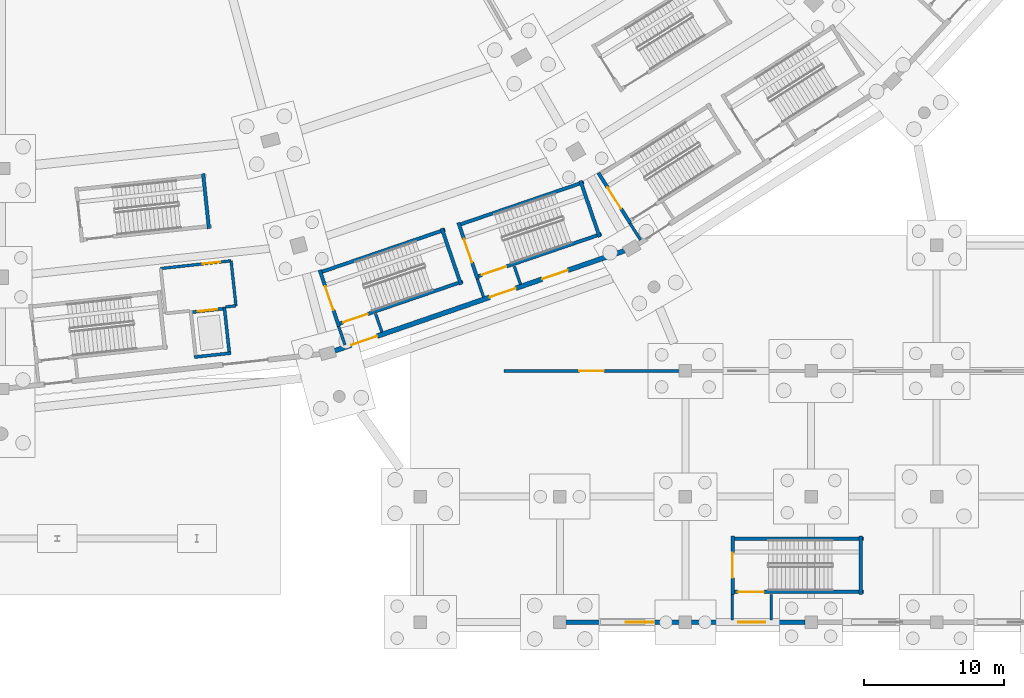
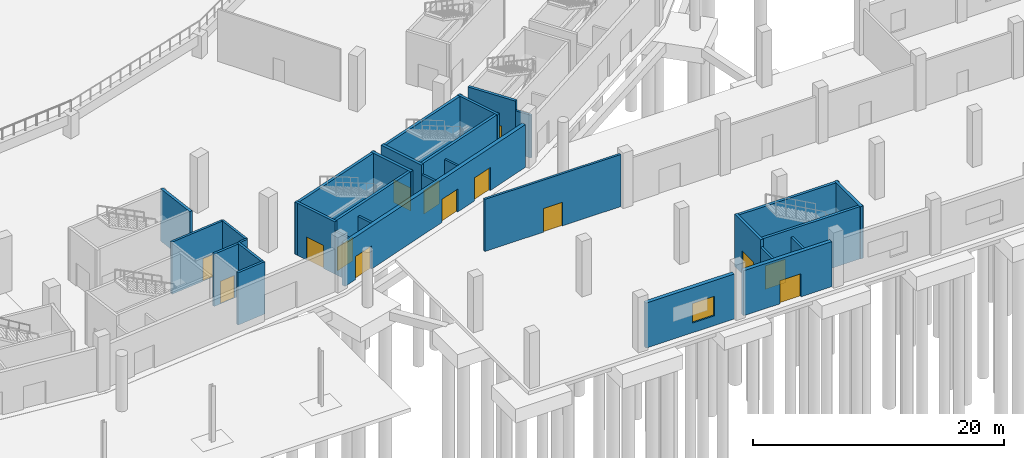
# One storey, part 36 of 103: 31 walls, 14 doors, 1 window, 15 openings.
"""IFC4 building model written with IfcOpenShell, lengths in metres."""

from ifc_helpers import new_model, si_unit, direction, frame, frame_2d, origin, place, context, subcontext, project, spatial, rectangle, extrude, material, layer, layer_set, type_object, element, fill, save


model = new_model("IFC4")

# Units and contexts
model_context = context("Model", 3, precision=1e-05, world=origin(), true_north=direction((0.0, 1.0)))
body_context = subcontext(model_context, "Body", "Model", "MODEL_VIEW")
ifc_project = project(units=[si_unit("LENGTHUNIT", "METRE"), si_unit("AREAUNIT", "SQUARE_METRE"), si_unit("VOLUMEUNIT", "CUBIC_METRE"), si_unit("PLANEANGLEUNIT", "RADIAN"), si_unit("MASSUNIT", "GRAM", prefix="KILO")], contexts=[model_context])

# Site, building, storey
site_placement = place(None, origin())
site = spatial("IfcSite", under=ifc_project, at=site_placement, CompositionType="ELEMENT")
building_placement = place(site_placement, origin())
building = spatial("IfcBuilding", under=site, at=building_placement, Name="Zevraka Park Crest Stadium", CompositionType="ELEMENT")
storey_placement = place(building_placement, origin())
storey = spatial("IfcBuildingStorey", under=building, at=storey_placement, Name="L00", CompositionType="ELEMENT", Elevation=0.0)

# Wall, openings, doors
ifc_material_1 = material(Name="Limestone and red clay brick masonry", Category="masonry")
ifc_layer_1 = layer(ifc_material_1, 0.35009765625)
ifc_layer_set_1 = layer_set([ifc_layer_1], Name="Limestone and red clay brick masonry")
wall_type_1 = type_object("IfcWallType", Name="EW01", PredefinedType="STANDARD", material=ifc_layer_set_1)
wall_1_placement = place(storey_placement, frame((156.64404296875, 26.613037109375, 0.0), z_axis=(0.0, 0.0, 1.0), x_axis=(-0.945215757663, -0.326446276538, 0.0)))
wall_1 = element("IfcWall", 1, at=wall_1_placement, inside=storey, type_object=wall_type_1, Name="L00 Pointed-Arch Colonnade Wall EW01 19", PredefinedType="STANDARD", context=body_context, shape_type="SweptSolid", body=[
    extrude(rectangle(XDim=21.979248046875, YDim=0.35009765625, at=frame_2d((10.98974609375, 0.0))), origin(), (0.0, 0.0, 1.0), 4.1650390625),
])
opening_1_placement = place(wall_1_placement, frame((18.760986328125, 0.0, 0.0)))
opening_1 = element("IfcOpeningElement", 2, at=opening_1_placement, cuts=wall_1, Name="Opening D-L00-EX-ST20", PredefinedType="OPENING", context=body_context, shape_type="SweptSolid", body=[
    extrude(rectangle(XDim=1.949951171875, YDim=2.25, at=frame_2d((0.97509765625, 1.125))), frame((0.0, 0.18505859375, 0.0), z_axis=(0.0, -1.0, 0.0), x_axis=(1.0, 0.0, 0.0)), (0.0, 0.0, 1.0), 0.3701171875),
])
opening_2_placement = place(wall_1_placement, frame((8.260986328125, 0.0, 0.0)))
opening_2 = element("IfcOpeningElement", 3, at=opening_2_placement, cuts=wall_1, Name="Opening D-L00-EX-ST31", PredefinedType="OPENING", context=body_context, shape_type="SweptSolid", body=[
    extrude(rectangle(XDim=1.949951171875, YDim=2.25, at=frame_2d((0.97509765625, 1.125))), frame((0.0, 0.18505859375, 0.0), z_axis=(0.0, -1.0, 0.0), x_axis=(1.0, 0.0, 0.0)), (0.0, 0.0, 1.0), 0.3701171875),
])
opening_3_placement = place(wall_1_placement, frame((4.300048828125, 0.0, 0.0)))
opening_3 = element("IfcOpeningElement", 4, at=opening_3_placement, cuts=wall_1, Name="Opening D-L00-E20", PredefinedType="OPENING", context=body_context, shape_type="SweptSolid", body=[
    extrude(rectangle(XDim=1.949951171875, YDim=2.25, at=frame_2d((0.97509765625, 1.125))), frame((0.0, 0.18505859375, 0.0), z_axis=(0.0, -1.0, 0.0), x_axis=(1.0, 0.0, 0.0)), (0.0, 0.0, 1.0), 0.3701171875),
])
ifc_material_2 = material(Name="Thermally broken architectural aluminium and safety glass", Category="aluminium")
door_type_1 = type_object("IfcDoorType", Name="ED05", OperationType="NOTDEFINED", PredefinedType="DOOR", material=ifc_material_2)
door_1_placement = place(opening_1_placement, origin())
door_1 = element("IfcDoor", 5, at=door_1_placement, inside=storey, type_object=door_type_1, Name="Stair Final Exit Discharge Door D-L00-EX-ST20", OperationType="DOUBLE_DOOR_SINGLE_SWING", OverallHeight=2.25, OverallWidth=1.949951171875, PredefinedType="DOOR", context=body_context, shape_type="SweptSolid", body=[
    extrude(rectangle(XDim=1.949951171875, YDim=2.25, at=frame_2d((0.97509765625, 1.125))), frame((0.0, 0.02490234375, 0.0), z_axis=(0.0, -1.0, 0.0), x_axis=(1.0, 0.0, 0.0)), (0.0, 0.0, 1.0), 0.050048828125),
])
fill(opening_1, door_1)
door_2_placement = place(opening_2_placement, origin())
door_2 = element("IfcDoor", 6, at=door_2_placement, inside=storey, type_object=door_type_1, Name="Stair Final Exit Discharge Door D-L00-EX-ST31", OperationType="DOUBLE_DOOR_SINGLE_SWING", OverallHeight=2.25, OverallWidth=1.949951171875, PredefinedType="DOOR", context=body_context, shape_type="SweptSolid", body=[
    extrude(rectangle(XDim=1.949951171875, YDim=2.25, at=frame_2d((0.97509765625, 1.125))), frame((0.0, 0.02490234375, 0.0), z_axis=(0.0, -1.0, 0.0), x_axis=(1.0, 0.0, 0.0)), (0.0, 0.0, 1.0), 0.050048828125),
])
fill(opening_2, door_2)
door_3_placement = place(opening_3_placement, origin())
door_3 = element("IfcDoor", 7, at=door_3_placement, inside=storey, type_object=door_type_1, Name="Concourse Final Exit E20", OperationType="DOUBLE_DOOR_SINGLE_SWING", OverallHeight=2.25, OverallWidth=1.949951171875, PredefinedType="DOOR", context=body_context, shape_type="SweptSolid", body=[
    extrude(rectangle(XDim=1.949951171875, YDim=2.25, at=frame_2d((0.97509765625, 1.125))), frame((0.0, 0.02490234375, 0.0), z_axis=(0.0, -1.0, 0.0), x_axis=(1.0, 0.0, 0.0)), (0.0, 0.0, 1.0), 0.050048828125),
])
fill(opening_3, door_3)

# Wall, opening, door
wall_2_placement = place(storey_placement, frame((169.574951171875, 0.0, 0.0), z_axis=(0.0, 0.0, 1.0), x_axis=(-1.0, 0.0, 0.0)))
wall_2 = element("IfcWall", 8, at=wall_2_placement, inside=storey, type_object=wall_type_1, Name="Wing External Cavity Wall EW01 L00-SE-S1-7", PredefinedType="STANDARD", context=body_context, shape_type="SweptSolid", body=[
    extrude(rectangle(XDim=8.14990234375, YDim=0.35009765625, at=frame_2d((4.074951171875, 0.0))), origin(), (0.0, 0.0, 1.0), 4.383544921875),
])
opening_4_placement = place(wall_2_placement, frame((2.85009765625, 0.0, 0.0)))
opening_4 = element("IfcOpeningElement", 9, at=opening_4_placement, cuts=wall_2, Name="Opening D-L00-EX-ST53", PredefinedType="OPENING", context=body_context, shape_type="SweptSolid", body=[
    extrude(rectangle(XDim=1.949951171875, YDim=2.25, at=frame_2d((0.97509765625, 1.125))), frame((0.0, 0.18505859375, 0.0), z_axis=(0.0, -1.0, 0.0), x_axis=(1.0, 0.0, 0.0)), (0.0, 0.0, 1.0), 0.3701171875),
])
door_4_placement = place(opening_4_placement, origin())
door_4 = element("IfcDoor", 10, at=door_4_placement, inside=storey, type_object=door_type_1, Name="Stair Final Exit Discharge Door D-L00-EX-ST53", OperationType="DOUBLE_DOOR_SINGLE_SWING", OverallHeight=2.25, OverallWidth=1.949951171875, PredefinedType="DOOR", context=body_context, shape_type="SweptSolid", body=[
    extrude(rectangle(XDim=1.949951171875, YDim=2.25, at=frame_2d((0.97509765625, 1.125))), frame((0.0, 0.02490234375, 0.0), z_axis=(0.0, -1.0, 0.0), x_axis=(1.0, 0.0, 0.0)), (0.0, 0.0, 1.0), 0.050048828125),
])
fill(opening_4, door_4)

# Wall, opening, window
wall_3_placement = place(storey_placement, frame((160.574951171875, 0.0, 0.0), z_axis=(0.0, 0.0, 1.0), x_axis=(-1.0, 0.0, 0.0)))
wall_3 = element("IfcWall", 11, at=wall_3_placement, inside=storey, type_object=wall_type_1, Name="Wing External Cavity Wall EW01 L00-SE-S1-8", PredefinedType="STANDARD", context=body_context, shape_type="SweptSolid", body=[
    extrude(rectangle(XDim=8.14990234375, YDim=0.35009765625, at=frame_2d((4.074951171875, 0.0))), origin(), (0.0, 0.0, 1.0), 4.383544921875),
])
opening_5_placement = place(wall_3_placement, frame((1.85205078125, 0.0, 0.949951171875)))
opening_5 = element("IfcOpeningElement", 12, at=opening_5_placement, cuts=wall_3, Name="Opening WN20", PredefinedType="OPENING", context=body_context, shape_type="SweptSolid", body=[
    extrude(rectangle(XDim=2.0, YDim=1.89990234375, at=frame_2d((1.0, 0.949951171875))), frame((0.0, 0.18505859375, 0.0), z_axis=(0.0, -1.0, 0.0), x_axis=(1.0, 0.0, 0.0)), (0.0, 0.0, 1.0), 0.3701171875),
])
ifc_material_3 = material(Name="Solar-control laminated double glazing in aluminium frame", Category="aluminium")
window_type = type_object("IfcWindowType", Name="WN20", PartitioningType="SINGLE_PANEL", PredefinedType="WINDOW", material=ifc_material_3)
window_placement = place(opening_5_placement, origin())
window = element("IfcWindow", 13, at=window_placement, inside=storey, type_object=window_type, Name="Facade Casement Window WN20 W-L00-102", OverallHeight=1.89990234375, OverallWidth=2.0, PartitioningType="SINGLE_PANEL", PredefinedType="WINDOW", context=body_context, shape_type="SweptSolid", body=[
    extrude(rectangle(XDim=2.0, YDim=1.89990234375, at=frame_2d((1.0, 0.949951171875))), frame((0.0, 0.030029296875, 0.0), z_axis=(0.0, -1.0, 0.0), x_axis=(1.0, 0.0, 0.0)), (0.0, 0.0, 1.0), 0.06005859375),
])
fill(opening_5, window)

# Walls
ifc_material_4 = material(Name="Autoclaved aerated masonry blockwork", Category="masonry")
ifc_layer_2 = layer(ifc_material_4, 0.199951171875)
ifc_layer_set_2 = layer_set([ifc_layer_2], Name="Autoclaved aerated masonry blockwork")
wall_type_2 = type_object("IfcWallType", Name="IW01", PredefinedType="PARTITIONING", material=ifc_layer_set_2)
wall_4_placement = place(storey_placement, frame((136.156982421875, 21.185791015625, 0.0), z_axis=(0.0, 0.0, 1.0), x_axis=(0.326548526872, -0.945180437587, 0.0)))
element("IfcWall", 14, at=wall_4_placement, inside=storey, type_object=wall_type_2, Name="Protected Exit Passageway Wall IW01 ST20-A", PredefinedType="PARTITIONING", context=body_context, shape_type="SweptSolid", body=[
    extrude(rectangle(XDim=1.402587890625, YDim=0.199951171875, at=frame_2d((0.701171875, 0.0))), origin(), (0.0, 0.0, 1.0), 4.1650390625),
])
wall_5_placement = place(storey_placement, frame((138.80615234375, 22.093017578125, 0.0), z_axis=(0.0, 0.0, 1.0), x_axis=(0.326599813584, -0.945162717085, 0.0)))
element("IfcWall", 15, at=wall_5_placement, inside=storey, type_object=wall_type_2, Name="Protected Exit Passageway Wall IW01 ST20-B", PredefinedType="PARTITIONING", context=body_context, shape_type="SweptSolid", body=[
    extrude(rectangle(XDim=1.3955078125, YDim=0.199951171875, at=frame_2d((0.69775390625, 0.0))), origin(), (0.0, 0.0, 1.0), 4.1650390625),
])
wall_6_placement = place(storey_placement, frame((157.0283203125, 28.566650390625, 0.0), z_axis=(0.0, 0.0, 1.0), x_axis=(0.539171685924, -0.842195875731, 0.0)))
element("IfcWall", 16, at=wall_6_placement, inside=storey, type_object=wall_type_2, Name="Protected Exit Passageway Wall IW01 ST21-A", PredefinedType="PARTITIONING", context=body_context, shape_type="SweptSolid", body=[
    extrude(rectangle(XDim=1.4091796875, YDim=0.199951171875, at=frame_2d((0.70458984375, 0.0))), origin(), (0.0, 0.0, 1.0), 4.1650390625),
])
wall_7_placement = place(storey_placement, frame((146.091064453125, 24.5869140625, 0.0), z_axis=(0.0, 0.0, 1.0), x_axis=(0.326488531048, -0.945201163295, 0.0)))
element("IfcWall", 17, at=wall_7_placement, inside=storey, type_object=wall_type_2, Name="Protected Exit Passageway Wall IW01 ST31-A", PredefinedType="PARTITIONING", context=body_context, shape_type="SweptSolid", body=[
    extrude(rectangle(XDim=1.375244140625, YDim=0.199951171875, at=frame_2d((0.6875, 0.0))), origin(), (0.0, 0.0, 1.0), 4.1650390625),
])
wall_8_placement = place(storey_placement, frame((148.739990234375, 25.493896484375, 0.0), z_axis=(0.0, 0.0, 1.0), x_axis=(0.326337459961, -0.945253332301, 0.0)))
element("IfcWall", 18, at=wall_8_placement, inside=storey, type_object=wall_type_2, Name="Protected Exit Passageway Wall IW01 ST31-B", PredefinedType="PARTITIONING", context=body_context, shape_type="SweptSolid", body=[
    extrude(rectangle(XDim=1.36669921875, YDim=0.199951171875, at=frame_2d((0.683349609375, 0.0))), origin(), (0.0, 0.0, 1.0), 4.1650390625),
])
for number, where, z_axis, x_axis, name in (
    (19, (164.35009765625, 2.0, 0.0), (0.0, 0.0, 1.0), (0.0, -1.0, 0.0), "Protected Exit Passageway Wall IW01 ST53-A"),
    (20, (167.14990234375, 2.0, 0.0), (0.0, 0.0, 1.0), (0.0, -1.0, 0.0), "Protected Exit Passageway Wall IW01 ST53-B"),
):
    element("IfcWall", number, at=place(storey_placement, frame(where, z_axis=z_axis, x_axis=x_axis)), inside=storey, type_object=wall_type_2, Name=name, PredefinedType="PARTITIONING", context=body_context, shape_type="SweptSolid", body=[
        extrude(rectangle(XDim=1.844970703125, YDim=0.199951171875, at=frame_2d((0.92236328125, 0.0))), origin(), (0.0, 0.0, 1.0), 4.383544921875),
    ])
wall_9_placement = place(storey_placement, frame((128.804931640625, 22.6650390625, 0.0), z_axis=(0.0, 0.0, 1.0), x_axis=(-0.994146742738, -0.108038205757, 0.0)))
element("IfcWall", 21, at=wall_9_placement, inside=storey, type_object=wall_type_2, Name="Firefighting Lift Lobby Wall IW01 FL04 L00 BACKL", PredefinedType="PARTITIONING", context=body_context, shape_type="SweptSolid", body=[
    extrude(rectangle(XDim=0.750244140625, YDim=0.199951171875, at=frame_2d((0.375, 0.0))), origin(), (0.0, 0.0, 1.0), 5.080078125),
])
wall_10_placement = place(storey_placement, frame((128.804931640625, 22.6650390625, 0.0), z_axis=(0.0, 0.0, 1.0), x_axis=(-0.108280975823, 0.994120329877, 0.0)))
element("IfcWall", 22, at=wall_10_placement, inside=storey, type_object=wall_type_2, Name="Firefighting Lift Lobby Wall IW01 FL04 L00 LEFT", PredefinedType="PARTITIONING", context=body_context, shape_type="SweptSolid", body=[
    extrude(rectangle(XDim=3.239990234375, YDim=0.199951171875, at=frame_2d((1.6201171875, 0.0))), origin(), (0.0, 0.0, 1.0), 5.080078125),
])

# Wall, opening, door
wall_11_placement = place(storey_placement, frame((128.4541015625, 25.885986328125, 0.0), z_axis=(0.0, 0.0, 1.0), x_axis=(-0.994118117986, -0.108301281116, 0.0)))
wall_11 = element("IfcWall", 23, at=wall_11_placement, inside=storey, type_object=wall_type_2, Name="Firefighting Lift Lobby Wall IW01 FL04 L00 FRONT", PredefinedType="PARTITIONING", context=body_context, shape_type="SweptSolid", body=[
    extrude(rectangle(XDim=5.06982421875, YDim=0.199951171875, at=frame_2d((2.534912109375, 0.0))), origin(), (0.0, 0.0, 1.0), 5.080078125),
])
opening_6_placement = place(wall_11_placement, frame((0.794921875, 0.0, 0.0)))
opening_6 = element("IfcOpeningElement", 24, at=opening_6_placement, cuts=wall_11, Name="Opening D-L00-319", PredefinedType="OPENING", context=body_context, shape_type="SweptSolid", body=[
    extrude(rectangle(XDim=1.25, YDim=2.199951171875, at=frame_2d((0.625, 1.10009765625))), frame((0.0, 0.10986328125, 0.0), z_axis=(0.0, -1.0, 0.0), x_axis=(1.0, 0.0, 0.0)), (0.0, 0.0, 1.0), 0.219970703125),
])
ifc_material_5 = material(Name="Solid-core hardwood timber leaf in steel frame", Category="steel")
door_type_2 = type_object("IfcDoorType", Name="DR07", OperationType="NOTDEFINED", PredefinedType="DOOR", material=ifc_material_5)
door_5_placement = place(opening_6_placement, origin())
door_5 = element("IfcDoor", 25, at=door_5_placement, inside=storey, type_object=door_type_2, Name="Firefighting Lift Lobby FL04 Door D-L00-319", OperationType="SINGLE_SWING_LEFT", OverallHeight=2.199951171875, OverallWidth=1.25, PredefinedType="DOOR", context=body_context, shape_type="SweptSolid", body=[
    extrude(rectangle(XDim=1.25, YDim=2.199951171875, at=frame_2d((0.625, 1.10009765625))), frame((0.0, 0.02490234375, 0.0), z_axis=(0.0, -1.0, 0.0), x_axis=(1.0, 0.0, 0.0)), (0.0, 0.0, 1.0), 0.050048828125),
])
fill(opening_6, door_5)

wall_12_placement = place(storey_placement, frame((148.0, 18.0, 0.0), z_axis=(0.0, 0.0, 1.0), x_axis=(1.0, 0.0, 0.0)))
wall_12 = element("IfcWall", 26, at=wall_12_placement, inside=storey, type_object=wall_type_2, Name="Interior Partition IW01 Central Chiller and Pump Plant Room L00", PredefinedType="PARTITIONING", context=body_context, shape_type="SweptSolid", body=[
    extrude(rectangle(XDim=12.56494140625, YDim=0.199951171875, at=frame_2d((6.282470703125, 0.0))), origin(), (0.0, 0.0, 1.0), 5.080078125),
])
opening_7_placement = place(wall_12_placement, frame((5.406982421875, 0.0, 0.0)))
opening_7 = element("IfcOpeningElement", 27, at=opening_7_placement, cuts=wall_12, Name="Opening D-L00-369", PredefinedType="OPENING", context=body_context, shape_type="SweptSolid", body=[
    extrude(rectangle(XDim=1.75, YDim=2.300048828125, at=frame_2d((0.875, 1.14990234375))), frame((0.0, 0.10986328125, 0.0), z_axis=(0.0, -1.0, 0.0), x_axis=(1.0, 0.0, 0.0)), (0.0, 0.0, 1.0), 0.219970703125),
])
ifc_material_6 = material(Name="Solid-core hardwood timber leaf in steel frame", Category="steel")
door_type_3 = type_object("IfcDoorType", Name="DR27", OperationType="NOTDEFINED", PredefinedType="DOOR", material=ifc_material_6)
door_6_placement = place(opening_7_placement, origin())
door_6 = element("IfcDoor", 28, at=door_6_placement, inside=storey, type_object=door_type_3, Name="Central Chiller and Pump Plant Room Door D-L00-369", OperationType="DOUBLE_DOOR_SINGLE_SWING", OverallHeight=2.300048828125, OverallWidth=1.75, PredefinedType="DOOR", context=body_context, shape_type="SweptSolid", body=[
    extrude(rectangle(XDim=1.75, YDim=2.300048828125, at=frame_2d((0.875, 1.14990234375))), frame((0.0, 0.02490234375, 0.0), z_axis=(0.0, -1.0, 0.0), x_axis=(1.0, 0.0, 0.0)), (0.0, 0.0, 1.0), 0.050048828125),
])
fill(opening_7, door_6)

ifc_material_7 = material(Name="Concrete C40/50", Category="concrete")
ifc_layer_3 = layer(ifc_material_7, 0.25)
ifc_layer_set_3 = layer_set([ifc_layer_3], Name="Concrete C40/50")
wall_type_3 = type_object("IfcWallType", Name="SW01", PredefinedType="SHEAR", material=ifc_layer_set_3)
wall_13_placement = place(storey_placement, frame((145.042236328125, 24.408203125, 0.0), z_axis=(0.0, 0.0, 1.0), x_axis=(-0.946064424228, -0.323978556712, 0.0)))
wall_13 = element("IfcWall", 29, at=wall_13_placement, inside=storey, type_object=wall_type_3, Name="Stair Core Shear Wall SW01 ST20 L00 left", PredefinedType="SHEAR", context=body_context, shape_type="SweptSolid", body=[
    extrude(rectangle(XDim=9.550048828125, YDim=0.25, at=frame_2d((4.77490234375, 0.0))), origin(), (0.0, 0.0, 1.0), 5.10009765625),
])
opening_8_placement = place(wall_13_placement, frame((7.18994140625, 0.0, 0.0)))
opening_8 = element("IfcOpeningElement", 30, at=opening_8_placement, cuts=wall_13, Name="Opening D-L00-117", PredefinedType="OPENING", context=body_context, shape_type="SweptSolid", body=[
    extrude(rectangle(XDim=1.85009765625, YDim=2.300048828125, at=frame_2d((0.925048828125, 1.14990234375))), frame((0.0, 0.135009765625, 0.0), z_axis=(0.0, -1.0, 0.0), x_axis=(1.0, 0.0, 0.0)), (0.0, 0.0, 1.0), 0.27001953125),
])
ifc_material_8 = material(Name="Solid-core hardwood timber leaf in steel frame", Category="steel")
door_type_4 = type_object("IfcDoorType", Name="DR05", OperationType="NOTDEFINED", PredefinedType="DOOR", material=ifc_material_8)
door_7_placement = place(opening_8_placement, origin())
door_7 = element("IfcDoor", 31, at=door_7_placement, inside=storey, type_object=door_type_4, Name="Stair Exit Discharge Door ST20", OperationType="DOUBLE_DOOR_SINGLE_SWING", OverallHeight=2.300048828125, OverallWidth=1.85009765625, PredefinedType="DOOR", context=body_context, shape_type="SweptSolid", body=[
    extrude(rectangle(XDim=1.85009765625, YDim=2.300048828125, at=frame_2d((0.925048828125, 1.14990234375))), frame((0.0, 0.02490234375, 0.0), z_axis=(0.0, -1.0, 0.0), x_axis=(1.0, 0.0, 0.0)), (0.0, 0.0, 1.0), 0.050048828125),
])
fill(opening_8, door_7)

# Wall
wall_14_placement = place(storey_placement, frame((143.7724609375, 28.116943359375, 0.0), z_axis=(0.0, 0.0, 1.0), x_axis=(-0.946067107432, -0.323970721263, 0.0)))
element("IfcWall", 32, at=wall_14_placement, inside=storey, type_object=wall_type_3, Name="Stair Core Shear Wall SW01 ST20 L00 right", PredefinedType="SHEAR", context=body_context, shape_type="SweptSolid", body=[
    extrude(rectangle(XDim=9.55029296875, YDim=0.25, at=frame_2d((4.775146484375, 0.0))), origin(), (0.0, 0.0, 1.0), 5.10009765625),
])

# Wall, opening, door
wall_15_placement = place(storey_placement, frame((134.800537109375, 25.22412109375, 0.0), z_axis=(0.0, 0.0, 1.0), x_axis=(0.323988758717, -0.946060930504, 0.0)))
wall_15 = element("IfcWall", 33, at=wall_15_placement, inside=storey, type_object=wall_type_3, Name="Stair Core Shear Wall SW01 ST20 L00 near", PredefinedType="SHEAR", context=body_context, shape_type="SweptSolid", body=[
    extrude(rectangle(XDim=4.259765625, YDim=0.25, at=frame_2d((2.1298828125, 0.0))), origin(), (0.0, 0.0, 1.0), 5.10009765625),
])
opening_9_placement = place(wall_15_placement, frame((1.22998046875, 0.0, 0.0)))
opening_9 = element("IfcOpeningElement", 34, at=opening_9_placement, cuts=wall_15, Name="Opening D-L00-116", PredefinedType="OPENING", context=body_context, shape_type="SweptSolid", body=[
    extrude(rectangle(XDim=1.800048828125, YDim=2.25, at=frame_2d((0.89990234375, 1.125))), frame((0.0, 0.135009765625, 0.0), z_axis=(0.0, -1.0, 0.0), x_axis=(1.0, 0.0, 0.0)), (0.0, 0.0, 1.0), 0.27001953125),
])
ifc_material_9 = material(Name="Solid-core hardwood timber leaf in steel frame", Category="steel")
door_type_5 = type_object("IfcDoorType", Name="DR04", OperationType="NOTDEFINED", PredefinedType="DOOR", material=ifc_material_9)
door_8_placement = place(opening_9_placement, origin())
door_8 = element("IfcDoor", 35, at=door_8_placement, inside=storey, type_object=door_type_5, Name="Protected Stair Entry Door ST20 L00", OperationType="DOUBLE_DOOR_SINGLE_SWING", OverallHeight=2.25, OverallWidth=1.800048828125, PredefinedType="DOOR", context=body_context, shape_type="SweptSolid", body=[
    extrude(rectangle(XDim=1.800048828125, YDim=2.25, at=frame_2d((0.89990234375, 1.125))), frame((0.0, 0.02490234375, 0.0), z_axis=(0.0, -1.0, 0.0), x_axis=(1.0, 0.0, 0.0)), (0.0, 0.0, 1.0), 0.050048828125),
])
fill(opening_9, door_8)

# Wall
wall_16_placement = place(storey_placement, frame((144.92236328125, 24.1875, 0.0), z_axis=(0.0, 0.0, 1.0), x_axis=(-0.323971192516, 0.946066946056, 0.0)))
element("IfcWall", 36, at=wall_16_placement, inside=storey, type_object=wall_type_3, Name="Stair Core Shear Wall SW01 ST20 L00 far", PredefinedType="SHEAR", context=body_context, shape_type="SweptSolid", body=[
    extrude(rectangle(XDim=4.260009765625, YDim=0.25, at=frame_2d((2.1298828125, 0.0))), origin(), (0.0, 0.0, 1.0), 5.10009765625),
])

# Wall, opening, door
wall_17_placement = place(storey_placement, frame((154.767333984375, 32.177001953125, 0.0), z_axis=(0.0, 0.0, 1.0), x_axis=(0.535684577572, -0.844418162613, 0.0)))
wall_17 = element("IfcWall", 37, at=wall_17_placement, inside=storey, type_object=wall_type_3, Name="Stair Core Shear Wall SW01 ST21 L00 near", PredefinedType="SHEAR", context=body_context, shape_type="SweptSolid", body=[
    extrude(rectangle(XDim=4.260009765625, YDim=0.25, at=frame_2d((2.1298828125, 0.0))), origin(), (0.0, 0.0, 1.0), 5.10009765625),
])
opening_10_placement = place(wall_17_placement, frame((1.22998046875, 0.0, 0.0)))
opening_10 = element("IfcOpeningElement", 38, at=opening_10_placement, cuts=wall_17, Name="Opening D-L00-123", PredefinedType="OPENING", context=body_context, shape_type="SweptSolid", body=[
    extrude(rectangle(XDim=1.800048828125, YDim=2.25, at=frame_2d((0.89990234375, 1.125))), frame((0.0, 0.135009765625, 0.0), z_axis=(0.0, -1.0, 0.0), x_axis=(1.0, 0.0, 0.0)), (0.0, 0.0, 1.0), 0.27001953125),
])
door_9_placement = place(opening_10_placement, origin())
door_9 = element("IfcDoor", 39, at=door_9_placement, inside=storey, type_object=door_type_5, Name="Protected Stair Entry Door ST21 L00", OperationType="DOUBLE_DOOR_SINGLE_SWING", OverallHeight=2.25, OverallWidth=1.800048828125, PredefinedType="DOOR", context=body_context, shape_type="SweptSolid", body=[
    extrude(rectangle(XDim=1.800048828125, YDim=2.25, at=frame_2d((0.89990234375, 1.125))), frame((0.0, 0.02490234375, 0.0), z_axis=(0.0, -1.0, 0.0), x_axis=(1.0, 0.0, 0.0)), (0.0, 0.0, 1.0), 0.050048828125),
])
fill(opening_10, door_9)

wall_18_placement = place(storey_placement, frame((154.976318359375, 27.809326171875, 0.0), z_axis=(0.0, 0.0, 1.0), x_axis=(-0.946064424228, -0.323978556712, 0.0)))
wall_18 = element("IfcWall", 40, at=wall_18_placement, inside=storey, type_object=wall_type_3, Name="Stair Core Shear Wall SW01 ST31 L00 left", PredefinedType="SHEAR", context=body_context, shape_type="SweptSolid", body=[
    extrude(rectangle(XDim=9.550048828125, YDim=0.25, at=frame_2d((4.77490234375, 0.0))), origin(), (0.0, 0.0, 1.0), 5.10009765625),
])
opening_11_placement = place(wall_18_placement, frame((7.18994140625, 0.0, 0.0)))
opening_11 = element("IfcOpeningElement", 41, at=opening_11_placement, cuts=wall_18, Name="Opening D-L00-176", PredefinedType="OPENING", context=body_context, shape_type="SweptSolid", body=[
    extrude(rectangle(XDim=1.85009765625, YDim=2.300048828125, at=frame_2d((0.925048828125, 1.14990234375))), frame((0.0, 0.135009765625, 0.0), z_axis=(0.0, -1.0, 0.0), x_axis=(1.0, 0.0, 0.0)), (0.0, 0.0, 1.0), 0.27001953125),
])
door_10_placement = place(opening_11_placement, origin())
door_10 = element("IfcDoor", 42, at=door_10_placement, inside=storey, type_object=door_type_4, Name="Stair Exit Discharge Door ST31", OperationType="DOUBLE_DOOR_SINGLE_SWING", OverallHeight=2.300048828125, OverallWidth=1.85009765625, PredefinedType="DOOR", context=body_context, shape_type="SweptSolid", body=[
    extrude(rectangle(XDim=1.85009765625, YDim=2.300048828125, at=frame_2d((0.925048828125, 1.14990234375))), frame((0.0, 0.02490234375, 0.0), z_axis=(0.0, -1.0, 0.0), x_axis=(1.0, 0.0, 0.0)), (0.0, 0.0, 1.0), 0.050048828125),
])
fill(opening_11, door_10)

# Wall
wall_19_placement = place(storey_placement, frame((153.706298828125, 31.517822265625, 0.0), z_axis=(0.0, 0.0, 1.0), x_axis=(-0.946064424228, -0.323978556712, 0.0)))
element("IfcWall", 43, at=wall_19_placement, inside=storey, type_object=wall_type_3, Name="Stair Core Shear Wall SW01 ST31 L00 right", PredefinedType="SHEAR", context=body_context, shape_type="SweptSolid", body=[
    extrude(rectangle(XDim=9.550048828125, YDim=0.25, at=frame_2d((4.77490234375, 0.0))), origin(), (0.0, 0.0, 1.0), 5.10009765625),
])

# Wall, opening, door
wall_20_placement = place(storey_placement, frame((144.734619140625, 28.625244140625, 0.0), z_axis=(0.0, 0.0, 1.0), x_axis=(0.323971192516, -0.946066946056, 0.0)))
wall_20 = element("IfcWall", 44, at=wall_20_placement, inside=storey, type_object=wall_type_3, Name="Stair Core Shear Wall SW01 ST31 L00 near", PredefinedType="SHEAR", context=body_context, shape_type="SweptSolid", body=[
    extrude(rectangle(XDim=4.260009765625, YDim=0.25, at=frame_2d((2.1298828125, 0.0))), origin(), (0.0, 0.0, 1.0), 5.10009765625),
])
opening_12_placement = place(wall_20_placement, frame((1.22998046875, 0.0, 0.0)))
opening_12 = element("IfcOpeningElement", 45, at=opening_12_placement, cuts=wall_20, Name="Opening D-L00-175", PredefinedType="OPENING", context=body_context, shape_type="SweptSolid", body=[
    extrude(rectangle(XDim=1.800048828125, YDim=2.25, at=frame_2d((0.89990234375, 1.125))), frame((0.0, 0.135009765625, 0.0), z_axis=(0.0, -1.0, 0.0), x_axis=(1.0, 0.0, 0.0)), (0.0, 0.0, 1.0), 0.27001953125),
])
door_11_placement = place(opening_12_placement, origin())
door_11 = element("IfcDoor", 46, at=door_11_placement, inside=storey, type_object=door_type_5, Name="Protected Stair Entry Door ST31 L00", OperationType="DOUBLE_DOOR_SINGLE_SWING", OverallHeight=2.25, OverallWidth=1.800048828125, PredefinedType="DOOR", context=body_context, shape_type="SweptSolid", body=[
    extrude(rectangle(XDim=1.800048828125, YDim=2.25, at=frame_2d((0.89990234375, 1.125))), frame((0.0, 0.02490234375, 0.0), z_axis=(0.0, -1.0, 0.0), x_axis=(1.0, 0.0, 0.0)), (0.0, 0.0, 1.0), 0.050048828125),
])
fill(opening_12, door_11)

# Walls
wall_21_placement = place(storey_placement, frame((154.8564453125, 27.588623046875, 0.0), z_axis=(0.0, 0.0, 1.0), x_axis=(-0.323988758717, 0.946060930504, 0.0)))
element("IfcWall", 47, at=wall_21_placement, inside=storey, type_object=wall_type_3, Name="Stair Core Shear Wall SW01 ST31 L00 far", PredefinedType="SHEAR", context=body_context, shape_type="SweptSolid", body=[
    extrude(rectangle(XDim=4.259765625, YDim=0.25, at=frame_2d((2.1298828125, 0.0))), origin(), (0.0, 0.0, 1.0), 5.10009765625),
])
wall_22_placement = place(storey_placement, frame((126.869873046875, 28.191650390625, 0.0), z_axis=(0.0, 0.0, 1.0), x_axis=(-0.105856095603, 0.994381459513, 0.0)))
element("IfcWall", 48, at=wall_22_placement, inside=storey, type_object=wall_type_3, Name="Stair Core Shear Wall SW01 ST42 L00 far", PredefinedType="SHEAR", context=body_context, shape_type="SweptSolid", body=[
    extrude(rectangle(XDim=3.9599609375, YDim=0.25, at=frame_2d((1.97998046875, 0.0))), origin(), (0.0, 0.0, 1.0), 5.10009765625),
])

# Wall, opening, door
wall_23_placement = place(storey_placement, frame((173.75, 2.169921875, 0.0), z_axis=(0.0, 0.0, 1.0), x_axis=(-1.0, 0.0, 0.0)))
wall_23 = element("IfcWall", 49, at=wall_23_placement, inside=storey, type_object=wall_type_3, Name="Stair Core Shear Wall SW01 ST53 L00 left", PredefinedType="SHEAR", context=body_context, shape_type="SweptSolid", body=[
    extrude(rectangle(XDim=9.5, YDim=0.25, at=frame_2d((4.75, 0.0))), origin(), (0.0, 0.0, 1.0), 5.10009765625),
])
opening_13_placement = place(wall_23_placement, frame((7.139892578125, 0.0, 0.0)))
opening_13 = element("IfcOpeningElement", 50, at=opening_13_placement, cuts=wall_23, Name="Opening D-L00-274", PredefinedType="OPENING", context=body_context, shape_type="SweptSolid", body=[
    extrude(rectangle(XDim=1.85009765625, YDim=2.300048828125, at=frame_2d((0.925048828125, 1.14990234375))), frame((0.0, 0.135009765625, 0.0), z_axis=(0.0, -1.0, 0.0), x_axis=(1.0, 0.0, 0.0)), (0.0, 0.0, 1.0), 0.27001953125),
])
door_12_placement = place(opening_13_placement, origin())
door_12 = element("IfcDoor", 51, at=door_12_placement, inside=storey, type_object=door_type_4, Name="Stair Exit Discharge Door ST53", OperationType="DOUBLE_DOOR_SINGLE_SWING", OverallHeight=2.300048828125, OverallWidth=1.85009765625, PredefinedType="DOOR", context=body_context, shape_type="SweptSolid", body=[
    extrude(rectangle(XDim=1.85009765625, YDim=2.300048828125, at=frame_2d((0.925048828125, 1.14990234375))), frame((0.0, 0.02490234375, 0.0), z_axis=(0.0, -1.0, 0.0), x_axis=(1.0, 0.0, 0.0)), (0.0, 0.0, 1.0), 0.050048828125),
])
fill(opening_13, door_12)

# Wall
wall_24_placement = place(storey_placement, frame((173.75, 5.989990234375, 0.0), z_axis=(0.0, 0.0, 1.0), x_axis=(-1.0, 0.0, 0.0)))
element("IfcWall", 52, at=wall_24_placement, inside=storey, type_object=wall_type_3, Name="Stair Core Shear Wall SW01 ST53 L00 right", PredefinedType="SHEAR", context=body_context, shape_type="SweptSolid", body=[
    extrude(rectangle(XDim=9.5, YDim=0.25, at=frame_2d((4.75, 0.0))), origin(), (0.0, 0.0, 1.0), 5.10009765625),
])

# Wall, opening, door
wall_25_placement = place(storey_placement, frame((164.375, 6.159912109375, 0.0), z_axis=(0.0, 0.0, 1.0), x_axis=(0.0, -1.0, 0.0)))
wall_25 = element("IfcWall", 53, at=wall_25_placement, inside=storey, type_object=wall_type_3, Name="Stair Core Shear Wall SW01 ST53 L00 near", PredefinedType="SHEAR", context=body_context, shape_type="SweptSolid", body=[
    extrude(rectangle(XDim=4.159912109375, YDim=0.25, at=frame_2d((2.080078125, 0.0))), origin(), (0.0, 0.0, 1.0), 5.10009765625),
])
opening_14_placement = place(wall_25_placement, frame((1.179931640625, 0.0, 0.0)))
opening_14 = element("IfcOpeningElement", 54, at=opening_14_placement, cuts=wall_25, Name="Opening D-L00-273", PredefinedType="OPENING", context=body_context, shape_type="SweptSolid", body=[
    extrude(rectangle(XDim=1.800048828125, YDim=2.25, at=frame_2d((0.89990234375, 1.125))), frame((0.0, 0.135009765625, 0.0), z_axis=(0.0, -1.0, 0.0), x_axis=(1.0, 0.0, 0.0)), (0.0, 0.0, 1.0), 0.27001953125),
])
door_13_placement = place(opening_14_placement, origin())
door_13 = element("IfcDoor", 55, at=door_13_placement, inside=storey, type_object=door_type_5, Name="Protected Stair Entry Door ST53 L00", OperationType="DOUBLE_DOOR_SINGLE_SWING", OverallHeight=2.25, OverallWidth=1.800048828125, PredefinedType="DOOR", context=body_context, shape_type="SweptSolid", body=[
    extrude(rectangle(XDim=1.800048828125, YDim=2.25, at=frame_2d((0.89990234375, 1.125))), frame((0.0, 0.02490234375, 0.0), z_axis=(0.0, -1.0, 0.0), x_axis=(1.0, 0.0, 0.0)), (0.0, 0.0, 1.0), 0.050048828125),
])
fill(opening_14, door_13)

# Walls
wall_26_placement = place(storey_placement, frame((173.56494140625, 2.0, 0.0), z_axis=(0.0, 0.0, 1.0), x_axis=(0.0, 1.0, 0.0)))
element("IfcWall", 56, at=wall_26_placement, inside=storey, type_object=wall_type_3, Name="Stair Core Shear Wall SW01 ST53 L00 far", PredefinedType="SHEAR", context=body_context, shape_type="SweptSolid", body=[
    extrude(rectangle(XDim=4.159912109375, YDim=0.25, at=frame_2d((2.080078125, 0.0))), origin(), (0.0, 0.0, 1.0), 5.10009765625),
])
ifc_material_10 = material(Name="Concrete C40/50", Category="concrete")
ifc_layer_4 = layer(ifc_material_10, 0.219970703125)
ifc_layer_set_4 = layer_set([ifc_layer_4], Name="Concrete C40/50")
wall_type_4 = type_object("IfcWallType", Name="SW02", PredefinedType="SHEAR", material=ifc_layer_set_4)
wall_27_placement = place(storey_placement, frame((125.81689453125, 18.989013671875, 0.0), z_axis=(0.0, 0.0, 1.0), x_axis=(0.994077313431, 0.108675180804, 0.0)))
element("IfcWall", 57, at=wall_27_placement, inside=storey, type_object=wall_type_4, Name="Lift Shaft Shear Wall SW02 FL04 L00-1", PredefinedType="SHEAR", context=body_context, shape_type="SweptSolid", body=[
    extrude(rectangle(XDim=2.6396484375, YDim=0.219970703125, at=frame_2d((1.31982421875, 0.0))), origin(), (0.0, 0.0, 1.0), 5.10009765625),
])
wall_28_placement = place(storey_placement, frame((128.343994140625, 19.155029296875, 0.0), z_axis=(0.0, 0.0, 1.0), x_axis=(-0.108748511736, 0.994069293961, 0.0)))
element("IfcWall", 58, at=wall_28_placement, inside=storey, type_object=wall_type_4, Name="Lift Shaft Shear Wall SW02 FL04 L00-2", PredefinedType="SHEAR", context=body_context, shape_type="SweptSolid", body=[
    extrude(rectangle(XDim=3.439453125, YDim=0.219970703125, at=frame_2d((1.7197265625, 0.0))), origin(), (0.0, 0.0, 1.0), 5.10009765625),
])

# Wall, opening, door
wall_29_placement = place(storey_placement, frame((128.091064453125, 22.47705078125, 0.0), z_axis=(0.0, 0.0, 1.0), x_axis=(-0.994067317545, -0.108766576613, 0.0)))
wall_29 = element("IfcWall", 59, at=wall_29_placement, inside=storey, type_object=wall_type_4, Name="Lift Shaft Shear Wall SW02 FL04 L00-3", PredefinedType="SHEAR", context=body_context, shape_type="SweptSolid", body=[
    extrude(rectangle(XDim=2.6396484375, YDim=0.219970703125, at=frame_2d((1.31982421875, 0.0))), origin(), (0.0, 0.0, 1.0), 5.10009765625),
])
opening_15_placement = place(wall_29_placement, frame((0.6201171875, 0.0, 0.0)))
opening_15 = element("IfcOpeningElement", 60, at=opening_15_placement, cuts=wall_29, Name="Opening LD-FL04-L00", PredefinedType="OPENING", context=body_context, shape_type="SweptSolid", body=[
    extrude(rectangle(XDim=1.39990234375, YDim=2.199951171875, at=frame_2d((0.699951171875, 1.10009765625))), frame((0.0, 0.119873046875, 0.0), z_axis=(0.0, -1.0, 0.0), x_axis=(1.0, 0.0, 0.0)), (0.0, 0.0, 1.0), 0.239990234375),
])
ifc_material_11 = material(Name="Brushed stainless steel lift landing doors", Category="steel")
door_type_6 = type_object("IfcDoorType", Name="LD01", OperationType="NOTDEFINED", PredefinedType="DOOR", material=ifc_material_11)
door_14_placement = place(opening_15_placement, origin())
door_14 = element("IfcDoor", 61, at=door_14_placement, inside=storey, type_object=door_type_6, Name="Lift Sliding Landing Door LD-FL04-L00", OperationType="SLIDING_TO_LEFT", OverallHeight=2.199951171875, OverallWidth=1.39990234375, PredefinedType="DOOR", context=body_context, shape_type="SweptSolid", body=[
    extrude(rectangle(XDim=1.39990234375, YDim=2.199951171875, at=frame_2d((0.699951171875, 1.10009765625))), frame((0.0, 0.02490234375, 0.0), z_axis=(0.0, -1.0, 0.0), x_axis=(1.0, 0.0, 0.0)), (0.0, 0.0, 1.0), 0.050048828125),
])
fill(opening_15, door_14)

save(model, "model.ifc")
